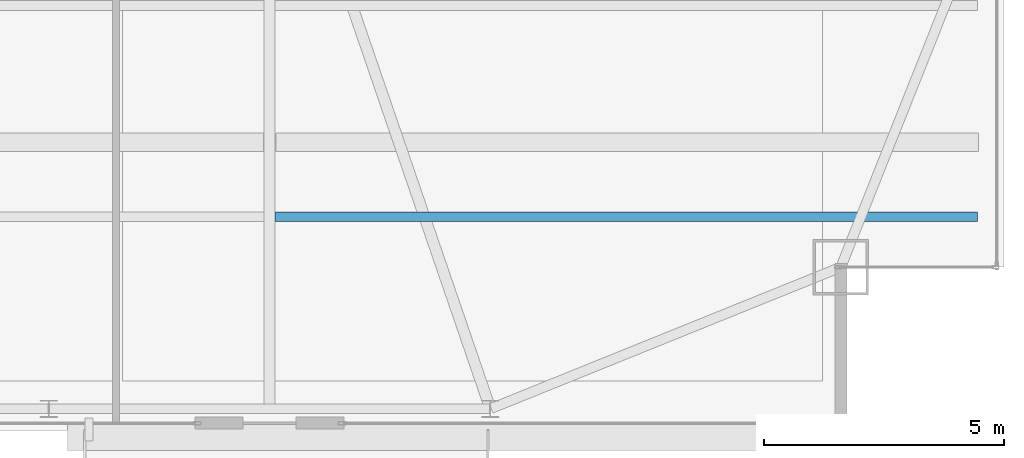
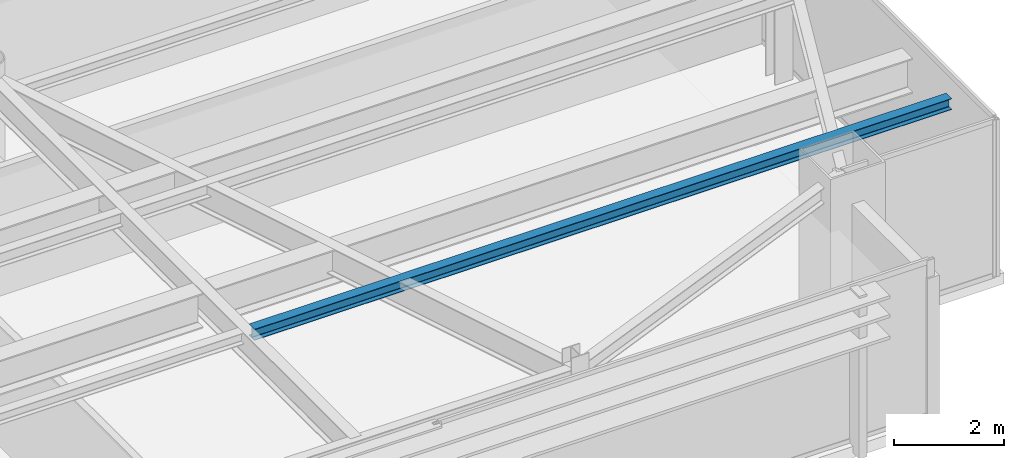
# One storey, part 14 of 28: 1 beam.
"""IFC4 building model written with IfcOpenShell, lengths in metres."""

from ifc_helpers import new_model, si_unit, direction, frame, origin, origin_2d, place, context, subcontext, project, spatial, i_section, extrude, source, transform, mapped, material, material_profile, profile_set, type_object, type_shapes, element, save


model = new_model("IFC4")

# Units and contexts
model_context = context("Model", 3, precision=1e-05, world=origin(), true_north=direction((0.0, 1.0)))
body_context = subcontext(model_context, "Body", "Model", "MODEL_VIEW")
ifc_project = project(units=[si_unit("LENGTHUNIT", "METRE"), si_unit("AREAUNIT", "SQUARE_METRE"), si_unit("VOLUMEUNIT", "CUBIC_METRE"), si_unit("PLANEANGLEUNIT", "RADIAN"), si_unit("MASSUNIT", "GRAM", prefix="KILO")], contexts=[model_context])

# Site, building, storey
site_placement = place(None, origin())
site = spatial("IfcSite", under=ifc_project, at=site_placement, CompositionType="ELEMENT")
building_placement = place(site_placement, origin())
building = spatial("IfcBuilding", under=site, at=building_placement, Name="Varnel Quay Broadcast Tower", CompositionType="ELEMENT")
storey_placement = place(building_placement, frame((0.0, 0.0, 230.199951171875)))
storey = spatial("IfcBuildingStorey", under=building, at=storey_placement, Name="L57", CompositionType="ELEMENT", Elevation=230.199951171875)

# Beam
ifc_material = material(Name="Structural Steel CSA G40.21 350W", Category="steel")
ifc_material_profile = material_profile(ifc_material, i_section(OverallWidth=0.201904296875, OverallDepth=0.2470703125, WebThickness=0.00732421875, FlangeThickness=0.010986328125, FilletRadius=0.010986328125, at=origin_2d()), Name="W250X49")
ifc_profile_set = profile_set([ifc_material_profile], Name="Structural Steel CSA G40.21 350W")
beam_type = type_object("IfcBeamType", Name="Beam_W250X49", PredefinedType="JOIST", material=ifc_profile_set)
shared_shape = source(origin(), body_context, "Body", "SweptSolid", [
    extrude(i_section(OverallWidth=0.201904296875, OverallDepth=0.2470703125, WebThickness=0.00732421875, FlangeThickness=0.010986328125, FilletRadius=0.010986328125, at=origin_2d()), origin(), (0.0, 0.0, 1.0), 14.642333984375),
])
type_shapes(beam_type, [shared_shape])
beam_placement = place(storey_placement, frame((43.31005859375, 14.64990234375, 3.3564453125), z_axis=(1.0, 0.0, 0.0), x_axis=(0.0, 1.0, 0.0)))
element("IfcBeam", 1, at=beam_placement, inside=storey, type_object=beam_type, Name="L57 East Floor Joist 1", PredefinedType="JOIST", context=body_context, shape_type="MappedRepresentation", body=[
    mapped(shared_shape, transform((0.0, 0.0, 0.0), x_axis=(1.0, 0.0, 0.0), y_axis=(0.0, 1.0, 0.0), z_axis=(0.0, 0.0, 1.0), scale=1.0)),
])

save(model, "model.ifc")
